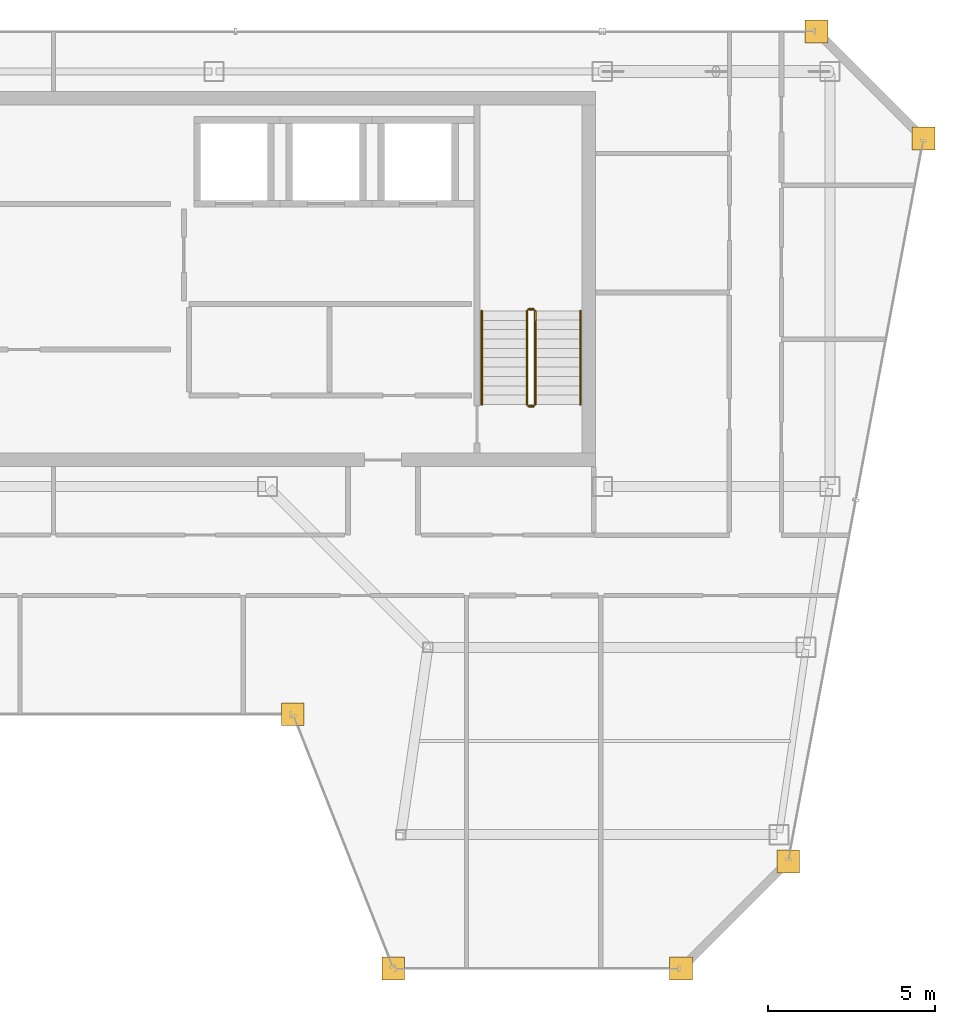
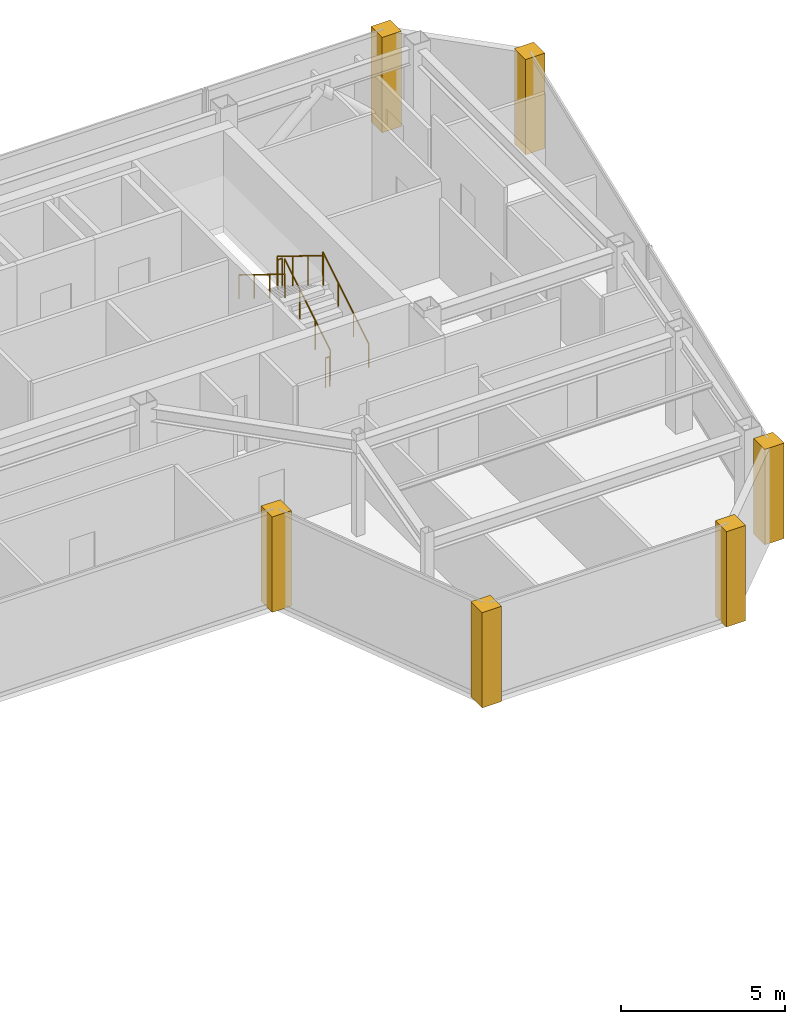
# One storey, part 23 of 23: 6 coverings, 6 railings.
"""IFC4 building model written with IfcOpenShell, lengths in metres."""

from ifc_helpers import new_model, si_unit, direction, frame, origin, origin_2d, place, context, subcontext, project, spatial, polyline, circle, outline, extrude, material, layer, layer_set, type_object, element, save


model = new_model("IFC4")

# Units and contexts
model_context = context("Model", 3, precision=1e-05, world=origin(), true_north=direction((0.0, 1.0)))
body_context = subcontext(model_context, "Body", "Model", "MODEL_VIEW")
ifc_project = project(units=[si_unit("LENGTHUNIT", "METRE"), si_unit("AREAUNIT", "SQUARE_METRE"), si_unit("VOLUMEUNIT", "CUBIC_METRE"), si_unit("PLANEANGLEUNIT", "RADIAN"), si_unit("MASSUNIT", "GRAM", prefix="KILO")], contexts=[model_context])

# Site, building, storey
site_placement = place(None, origin())
site = spatial("IfcSite", under=ifc_project, at=site_placement, CompositionType="ELEMENT")
building_placement = place(site_placement, origin())
building = spatial("IfcBuilding", under=site, at=building_placement, Name="Saevonmaru Cultural Tower", CompositionType="ELEMENT")
storey_placement = place(building_placement, frame((0.0, 0.0, 283.800048828125)))
storey = spatial("IfcBuildingStorey", under=building, at=storey_placement, Name="L67", CompositionType="ELEMENT", Elevation=283.800048828125)

# Coverings
ifc_material_1 = material(Name="Satin Bronze Anodised Aluminium", Category="aluminium")
ifc_layer = layer(ifc_material_1, 0.679931640625, Name="Satin Bronze Anodised Aluminium")
ifc_layer_set = layer_set([ifc_layer], Name="Satin Bronze Anodised Aluminium")
covering_type = type_object("IfcCoveringType", Name="CV-CORNER-CLAD", PredefinedType="CLADDING", material=ifc_layer_set)
covering_1_placement = place(storey_placement, origin())
element("IfcCovering", 1, at=covering_1_placement, inside=storey, type_object=covering_type, Name="L67 Tower Bronze Corner Cladding Pier 5", PredefinedType="CLADDING", context=body_context, shape_type="SweptSolid", body=[
    extrude(outline(polyline([(36.81591796875, 35.260009765625), (37.49609375, 35.260009765625), (37.49609375, 35.93994140625), (36.81591796875, 35.93994140625), (36.81591796875, 35.260009765625)])), origin(), (0.0, 0.0, 1.0), 3.550048828125),
])
covering_2_placement = place(storey_placement, origin())
element("IfcCovering", 2, at=covering_2_placement, inside=storey, type_object=covering_type, Name="L67 Tower Bronze Corner Cladding Pier 6", PredefinedType="CLADDING", context=body_context, shape_type="SweptSolid", body=[
    extrude(outline(polyline([(39.81591796875, 27.659912109375), (40.49609375, 27.659912109375), (40.49609375, 28.340087890625), (39.81591796875, 28.340087890625), (39.81591796875, 27.659912109375)])), origin(), (0.0, 0.0, 1.0), 3.550048828125),
])
covering_3_placement = place(storey_placement, origin())
element("IfcCovering", 3, at=covering_3_placement, inside=storey, type_object=covering_type, Name="L67 Tower Bronze Corner Cladding Pier 7", PredefinedType="CLADDING", context=body_context, shape_type="SweptSolid", body=[
    extrude(outline(polyline([(48.416015625, 27.659912109375), (49.095947265625, 27.659912109375), (49.095947265625, 28.340087890625), (48.416015625, 28.340087890625), (48.416015625, 27.659912109375)])), origin(), (0.0, 0.0, 1.0), 3.550048828125),
])
covering_4_placement = place(storey_placement, origin())
element("IfcCovering", 4, at=covering_4_placement, inside=storey, type_object=covering_type, Name="L67 Tower Bronze Corner Cladding Pier 8", PredefinedType="CLADDING", context=body_context, shape_type="SweptSolid", body=[
    extrude(outline(polyline([(51.615966796875, 30.860107421875), (52.2958984375, 30.860107421875), (52.2958984375, 31.5400390625), (51.615966796875, 31.5400390625), (51.615966796875, 30.860107421875)])), origin(), (0.0, 0.0, 1.0), 3.550048828125),
])
covering_5_placement = place(storey_placement, origin())
element("IfcCovering", 5, at=covering_5_placement, inside=storey, type_object=covering_type, Name="L67 Tower Bronze Corner Cladding Pier 9", PredefinedType="CLADDING", context=body_context, shape_type="SweptSolid", body=[
    extrude(outline(polyline([(55.659912109375, 52.4599609375), (56.340087890625, 52.4599609375), (56.340087890625, 53.139892578125), (55.659912109375, 53.139892578125), (55.659912109375, 52.4599609375)])), origin(), (0.0, 0.0, 1.0), 3.550048828125),
])
covering_6_placement = place(storey_placement, origin())
element("IfcCovering", 6, at=covering_6_placement, inside=storey, type_object=covering_type, Name="L67 Tower Bronze Corner Cladding Pier 10", PredefinedType="CLADDING", context=body_context, shape_type="SweptSolid", body=[
    extrude(outline(polyline([(52.4599609375, 55.659912109375), (53.139892578125, 55.659912109375), (53.139892578125, 56.340087890625), (52.4599609375, 56.340087890625), (52.4599609375, 55.659912109375)])), origin(), (0.0, 0.0, 1.0), 3.550048828125),
])

# Railings
ifc_material_2 = material(Name="Architectural Painted Steel", Category="steel")
railing_type_1 = type_object("IfcRailingType", Name="RL-STAIR-GUARD", PredefinedType="GUARDRAIL", material=ifc_material_2)
railing_1_placement = place(storey_placement, frame((44.39990234375, 44.85009765625, 0.172607421875)))
element("IfcRailing", 7, at=railing_1_placement, inside=storey, type_object=railing_type_1, Name="L67 ST-2 stair guard 1", PredefinedType="GUARDRAIL", context=body_context, shape_type="SweptSolid", body=[
    extrude(circle(Radius=0.02392578125, at=origin_2d()), frame((0.0, 0.0, 1.09619140625), z_axis=(0.0, 0.851069175582, 0.525053576669), x_axis=(-1.0, 0.0, 0.0)), (0.0, 0.0, 1.0), 3.289794921875),
    extrude(circle(Radius=0.02099609375, at=origin_2d()), origin(), (0.0, 0.0, 1.0), 1.072021484375),
    extrude(circle(Radius=0.02099609375, at=origin_2d()), frame((0.0, 0.933349609375, 0.57568359375)), (0.0, 0.0, 1.0), 1.072021484375),
    extrude(circle(Radius=0.02099609375, at=origin_2d()), frame((0.0, 1.866455078125, 1.151611328125)), (0.0, 0.0, 1.0), 1.072021484375),
    extrude(circle(Radius=0.02099609375, at=origin_2d()), frame((0.0, 2.7998046875, 1.727294921875)), (0.0, 0.0, 1.0), 1.072021484375),
])
railing_2_placement = place(storey_placement, frame((44.35009765625, 47.699951171875, 1.89990234375)))
element("IfcRailing", 8, at=railing_2_placement, inside=storey, type_object=railing_type_1, Name="L67 ST-2 stair guard 2", PredefinedType="GUARDRAIL", context=body_context, shape_type="SweptSolid", body=[
    extrude(circle(Radius=0.02392578125, at=origin_2d()), frame((0.0, 0.0, 1.09619140625), z_axis=(-1.0, 0.0, 0.0), x_axis=(0.0, -1.0, 0.0)), (0.0, 0.0, 1.0), 0.150146484375),
    extrude(circle(Radius=0.02099609375, at=origin_2d()), origin(), (0.0, 0.0, 1.0), 1.072021484375),
    extrude(circle(Radius=0.02099609375, at=origin_2d()), frame((-0.150146484375, 0.0, 0.0)), (0.0, 0.0, 1.0), 1.072021484375),
])
railing_3_placement = place(storey_placement, frame((44.14990234375, 47.64990234375, 2.07275390625)))
element("IfcRailing", 9, at=railing_3_placement, inside=storey, type_object=railing_type_1, Name="L67 ST-2 stair guard 3", PredefinedType="GUARDRAIL", context=body_context, shape_type="SweptSolid", body=[
    extrude(circle(Radius=0.02392578125, at=origin_2d()), frame((0.0, 0.0, 1.09619140625), z_axis=(0.0, -0.851069175582, 0.525053576669), x_axis=(1.0, 0.0, 0.0)), (0.0, 0.0, 1.0), 3.289794921875),
    extrude(circle(Radius=0.02099609375, at=origin_2d()), origin(), (0.0, 0.0, 1.0), 1.072021484375),
    extrude(circle(Radius=0.02099609375, at=origin_2d()), frame((0.0, -0.933349609375, 0.57568359375)), (0.0, 0.0, 1.0), 1.072021484375),
    extrude(circle(Radius=0.02099609375, at=origin_2d()), frame((0.0, -1.866455078125, 1.151611328125)), (0.0, 0.0, 1.0), 1.072021484375),
    extrude(circle(Radius=0.02099609375, at=origin_2d()), frame((0.0, -2.7998046875, 1.727294921875)), (0.0, 0.0, 1.0), 1.072021484375),
])
railing_4_placement = place(storey_placement, frame((44.35009765625, 44.800048828125, 0.0)))
element("IfcRailing", 10, at=railing_4_placement, inside=storey, type_object=railing_type_1, Name="L67 ST-2 stair guard 4", PredefinedType="GUARDRAIL", context=body_context, shape_type="SweptSolid", body=[
    extrude(circle(Radius=0.02392578125, at=origin_2d()), frame((0.0, 0.0, 1.09619140625), z_axis=(-1.0, 0.0, 0.0), x_axis=(0.0, -1.0, 0.0)), (0.0, 0.0, 1.0), 0.150146484375),
    extrude(circle(Radius=0.02099609375, at=origin_2d()), origin(), (0.0, 0.0, 1.0), 1.072021484375),
    extrude(circle(Radius=0.02099609375, at=origin_2d()), frame((-0.150146484375, 0.0, 0.0)), (0.0, 0.0, 1.0), 1.072021484375),
])
railing_type_2 = type_object("IfcRailingType", Name="RL-STAIR-HANDRAIL", PredefinedType="HANDRAIL", material=ifc_material_1)
railing_5_placement = place(storey_placement, frame((45.75, 44.85009765625, 0.172607421875)))
element("IfcRailing", 11, at=railing_5_placement, inside=storey, type_object=railing_type_2, Name="L67 ST-2 stair handrail 1", PredefinedType="HANDRAIL", context=body_context, shape_type="SweptSolid", body=[
    extrude(circle(Radius=0.02392578125, at=origin_2d()), frame((0.0, 0.0, 0.8759765625), z_axis=(0.0, 0.851069175582, 0.525053576669), x_axis=(-1.0, 0.0, 0.0)), (0.0, 0.0, 1.0), 3.289794921875),
    extrude(circle(Radius=0.02099609375, at=origin_2d()), origin(), (0.0, 0.0, 1.0), 0.851806640625),
    extrude(circle(Radius=0.02099609375, at=origin_2d()), frame((0.0, 0.933349609375, 0.57568359375)), (0.0, 0.0, 1.0), 0.851806640625),
    extrude(circle(Radius=0.02099609375, at=origin_2d()), frame((0.0, 1.866455078125, 1.151611328125)), (0.0, 0.0, 1.0), 0.851806640625),
    extrude(circle(Radius=0.02099609375, at=origin_2d()), frame((0.0, 2.7998046875, 1.727294921875)), (0.0, 0.0, 1.0), 0.851806640625),
])
railing_6_placement = place(storey_placement, frame((42.800048828125, 47.64990234375, 2.07275390625)))
element("IfcRailing", 12, at=railing_6_placement, inside=storey, type_object=railing_type_2, Name="L67 ST-2 stair handrail 2", PredefinedType="HANDRAIL", context=body_context, shape_type="SweptSolid", body=[
    extrude(circle(Radius=0.02392578125, at=origin_2d()), frame((0.0, 0.0, 0.8759765625), z_axis=(0.0, -0.851069175582, 0.525053576669), x_axis=(1.0, 0.0, 0.0)), (0.0, 0.0, 1.0), 3.289794921875),
    extrude(circle(Radius=0.02099609375, at=origin_2d()), origin(), (0.0, 0.0, 1.0), 0.851806640625),
    extrude(circle(Radius=0.02099609375, at=origin_2d()), frame((0.0, -0.933349609375, 0.57568359375)), (0.0, 0.0, 1.0), 0.851806640625),
    extrude(circle(Radius=0.02099609375, at=origin_2d()), frame((0.0, -1.866455078125, 1.151611328125)), (0.0, 0.0, 1.0), 0.851806640625),
    extrude(circle(Radius=0.02099609375, at=origin_2d()), frame((0.0, -2.7998046875, 1.727294921875)), (0.0, 0.0, 1.0), 0.851806640625),
])

save(model, "model.ifc")
